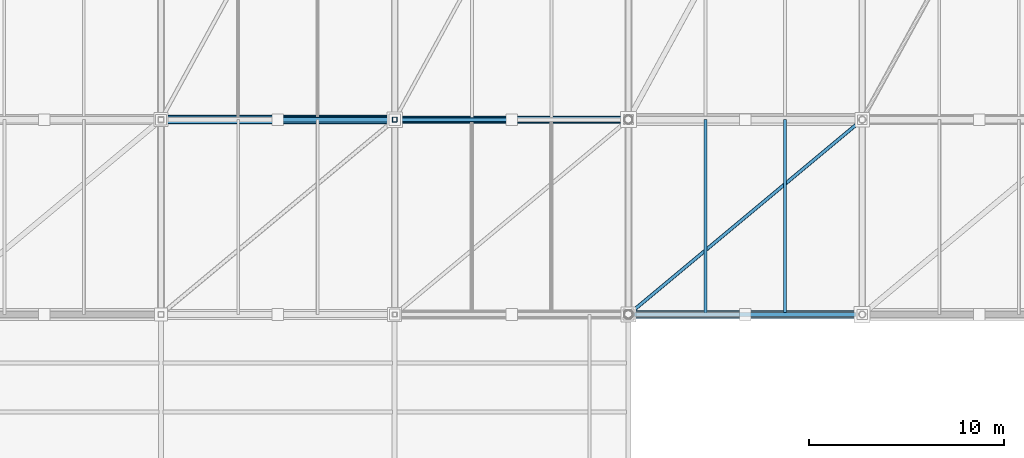
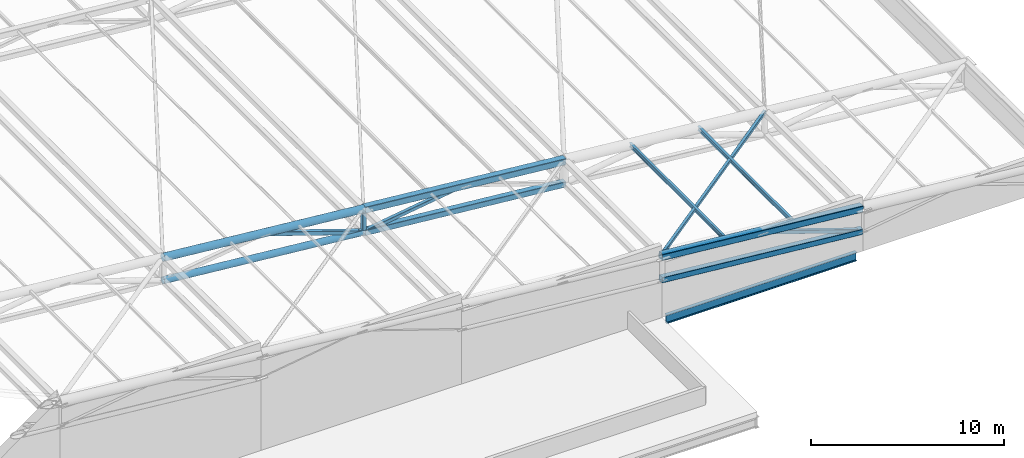
# One storey, part 18 of 44: 13 members, 1 beam.
"""IFC4 building model written with IfcOpenShell, lengths in metres."""

from ifc_helpers import new_model, si_unit, direction, frame, origin, origin_2d, place, context, subcontext, project, spatial, hollow_rectangle, hollow_circle, i_section, extrude, material, material_profile, profile_set, type_object, element, save


model = new_model("IFC4")

# Units and contexts
model_context = context("Model", 3, precision=1e-05, world=origin(), true_north=direction((0.0, 1.0)))
body_context = subcontext(model_context, "Body", "Model", "MODEL_VIEW")
ifc_project = project(units=[si_unit("LENGTHUNIT", "METRE"), si_unit("AREAUNIT", "SQUARE_METRE"), si_unit("VOLUMEUNIT", "CUBIC_METRE"), si_unit("PLANEANGLEUNIT", "RADIAN"), si_unit("MASSUNIT", "GRAM", prefix="KILO")], contexts=[model_context])

# Site, building, storey
site_placement = place(None, origin())
site = spatial("IfcSite", under=ifc_project, at=site_placement, CompositionType="ELEMENT")
building_placement = place(site_placement, origin())
building = spatial("IfcBuilding", under=site, at=building_placement, Name="Brinegate Civic Arena", CompositionType="ELEMENT")
storey_placement = place(building_placement, frame((0.0, 0.0, 29.39990234375)))
storey = spatial("IfcBuildingStorey", under=building, at=storey_placement, Name="RF", CompositionType="ELEMENT", Elevation=29.39990234375)

# Members
ifc_material = material(Name="Steel S355", Category="steel")
ifc_material_profile_1 = material_profile(ifc_material, i_section(OverallWidth=0.14794921875, OverallDepth=0.26611328125, WebThickness=0.008056640625, FlangeThickness=0.012939453125, FilletRadius=0.011962890625, at=origin_2d()), Name="W250X45")
ifc_profile_set_1 = profile_set([ifc_material_profile_1], Name="Steel S355")
member_type_1 = type_object("IfcMemberType", Name="RF-PURLIN-W250", PredefinedType="PURLIN", material=ifc_profile_set_1)
for number, where, z_axis, x_axis, name in (
    (1, (135.9599609375, 10.0, 3.4111328125), (0.0, 1.0, 0.0), (-1.0, 0.0, 0.0), "Roof Purlin RFP-015"),
    (2, (140.0400390625, 10.0, 3.028076171875), (0.0, 1.0, 0.0), (-1.0, 0.0, 0.0), "Roof Purlin RFP-016"),
):
    element("IfcMember", number, at=place(storey_placement, frame(where, z_axis=z_axis, x_axis=x_axis)), inside=storey, type_object=member_type_1, Name=name, PredefinedType="PURLIN", context=body_context, shape_type="SweptSolid", body=[
        extrude(i_section(OverallWidth=0.14794921875, OverallDepth=0.26611328125, WebThickness=0.008056640625, FlangeThickness=0.012939453125, FilletRadius=0.011962890625, at=origin_2d()), origin(), (0.0, 0.0, 1.0), 10.0),
    ])
ifc_material_profile_2 = material_profile(ifc_material, hollow_rectangle(XDim=0.179931640625, YDim=0.179931640625, WallThickness=0.010009765625, InnerFilletRadius=0.010009765625, OuterFilletRadius=0.02001953125, at=origin_2d()), Name="SHS180X10")
ifc_profile_set_2 = profile_set([ifc_material_profile_2], Name="Steel S355")
member_type_2 = type_object("IfcMemberType", Name="SF-BRACE-SHS180", PredefinedType="BRACE", material=ifc_profile_set_2)
member_1_placement = place(storey_placement, frame((132.0, 10.0, 3.800048828125), z_axis=(0.766236619907, 0.638530516589, -0.071834683116), x_axis=(-0.640184399664, 0.768221279597, 0.0)))
element("IfcMember", 3, at=member_1_placement, inside=storey, type_object=member_type_2, Name="Roof Plan Diagonal Brace PL-1-8", PredefinedType="BRACE", context=body_context, shape_type="SweptSolid", body=[
    extrude(hollow_rectangle(XDim=0.179931640625, YDim=0.179931640625, WallThickness=0.010009765625, InnerFilletRadius=0.010009765625, OuterFilletRadius=0.02001953125, at=origin_2d()), origin(), (0.0, 0.0, 1.0), 15.660888671875),
])
ifc_material_profile_3 = material_profile(ifc_material, hollow_rectangle(XDim=0.219970703125, YDim=0.219970703125, WallThickness=0.011962890625, InnerFilletRadius=0.011962890625, OuterFilletRadius=0.02392578125, at=origin_2d()), Name="SHS220X12")
ifc_profile_set_3 = profile_set([ifc_material_profile_3], Name="Steel S355")
member_type_3 = type_object("IfcMemberType", Name="SF-BRACE-SHS220", PredefinedType="BRACE", material=ifc_profile_set_3)
member_2_placement = place(storey_placement, frame((138.0, 10.0, 3.238037109375), z_axis=(0.948068139281, 0.0, -0.318067293635), x_axis=(0.0, 1.0, 0.0)))
element("IfcMember", 4, at=member_2_placement, inside=storey, type_object=member_type_3, Name="Space Frame Web Brace D2-1-8", PredefinedType="BRACE", context=body_context, shape_type="SweptSolid", body=[
    extrude(hollow_rectangle(XDim=0.219970703125, YDim=0.219970703125, WallThickness=0.011962890625, InnerFilletRadius=0.011962890625, OuterFilletRadius=0.02392578125, at=origin_2d()), origin(), (0.0, 0.0, 1.0), 6.32861328125),
])
member_3_placement = place(storey_placement, frame((120.0, 20.0, 3.47509765625), z_axis=(0.989226142737, 0.0, 0.1463954867), x_axis=(0.0, 1.0, 0.0)))
element("IfcMember", 5, at=member_3_placement, inside=storey, type_object=member_type_3, Name="Space Frame Web Brace D1-2-7", PredefinedType="BRACE", context=body_context, shape_type="SweptSolid", body=[
    extrude(hollow_rectangle(XDim=0.219970703125, YDim=0.219970703125, WallThickness=0.011962890625, InnerFilletRadius=0.011962890625, OuterFilletRadius=0.02392578125, at=origin_2d()), origin(), (0.0, 0.0, 1.0), 6.0654296875),
])
ifc_material_profile_4 = material_profile(ifc_material, hollow_rectangle(XDim=0.25, YDim=0.25, WallThickness=0.011962890625, InnerFilletRadius=0.011962890625, OuterFilletRadius=0.02392578125, at=origin_2d()), Name="SHS250X12")
ifc_profile_set_4 = profile_set([ifc_material_profile_4], Name="Steel S355")
member_type_4 = type_object("IfcMemberType", Name="SF-BRACE-SHS250", PredefinedType="BRACE", material=ifc_profile_set_4)
member_4_placement = place(storey_placement, frame((114.0, 20.0, 5.488037109375), z_axis=(0.948068139281, 0.0, -0.318067293635), x_axis=(0.0, 1.0, 0.0)))
element("IfcMember", 6, at=member_4_placement, inside=storey, type_object=member_type_4, Name="Space Frame Web Brace D2-2-6", PredefinedType="BRACE", context=body_context, shape_type="SweptSolid", body=[
    extrude(hollow_rectangle(XDim=0.25, YDim=0.25, WallThickness=0.011962890625, InnerFilletRadius=0.011962890625, OuterFilletRadius=0.02392578125, at=origin_2d()), origin(), (0.0, 0.0, 1.0), 6.32861328125),
])
ifc_material_profile_5 = material_profile(ifc_material, hollow_circle(Radius=0.202880859375, WallThickness=0.01611328125, at=origin_2d()), Name="CHS406X16")
ifc_profile_set_5 = profile_set([ifc_material_profile_5], Name="Steel S355")
member_type_5 = type_object("IfcMemberType", Name="SF-CHORD-CHS406", PredefinedType="CHORD", material=ifc_profile_set_5)
member_5_placement = place(storey_placement, frame((108.0, 20.0, 4.60009765625), z_axis=(0.995634226059, 0.0, -0.093340708693), x_axis=(0.0, 1.0, 0.0)))
element("IfcMember", 7, at=member_5_placement, inside=storey, type_object=member_type_5, Name="Space Frame Bottom Chord BX-2-6", PredefinedType="CHORD", context=body_context, shape_type="SweptSolid", body=[
    extrude(hollow_circle(Radius=0.202880859375, WallThickness=0.01611328125, at=origin_2d()), origin(), (0.0, 0.0, 1.0), 12.052734375),
])
ifc_material_profile_6 = material_profile(ifc_material, hollow_circle(Radius=0.228515625, WallThickness=0.01611328125, at=origin_2d()), Name="CHS457X16")
ifc_profile_set_6 = profile_set([ifc_material_profile_6], Name="Steel S355")
member_type_6 = type_object("IfcMemberType", Name="SF-CHORD-CHS457", PredefinedType="CHORD", material=ifc_profile_set_6)
member_6_placement = place(storey_placement, frame((108.0, 20.0, 6.050048828125), z_axis=(0.995634226059, 0.0, -0.093340708693), x_axis=(0.0, 1.0, 0.0)))
element("IfcMember", 8, at=member_6_placement, inside=storey, type_object=member_type_6, Name="Space Frame Top Chord TX-2-6", PredefinedType="CHORD", context=body_context, shape_type="SweptSolid", body=[
    extrude(hollow_circle(Radius=0.228515625, WallThickness=0.01611328125, at=origin_2d()), origin(), (0.0, 0.0, 1.0), 12.052734375),
])
ifc_material_profile_7 = material_profile(ifc_material, hollow_rectangle(XDim=0.35009765625, YDim=0.35009765625, WallThickness=0.01611328125, InnerFilletRadius=0.01611328125, OuterFilletRadius=0.031982421875, at=origin_2d()), Name="SHS350X16")
ifc_profile_set_7 = profile_set([ifc_material_profile_7], Name="Steel S355")
member_type_7 = type_object("IfcMemberType", Name="SF-CHORD-SHS350", PredefinedType="CHORD", material=ifc_profile_set_7)
for number, where, z_axis, x_axis, name in (
    (9, (132.0, 10.0, 2.35009765625), (0.995634226059, 0.0, -0.093340708693), (0.0, 1.0, 0.0), "Space Frame Bottom Chord BX-1-8"),
    (10, (120.0, 20.0, 3.47509765625), (0.995634226059, 0.0, -0.093340708693), (0.0, 1.0, 0.0), "Space Frame Bottom Chord BX-2-7"),
):
    element("IfcMember", number, at=place(storey_placement, frame(where, z_axis=z_axis, x_axis=x_axis)), inside=storey, type_object=member_type_7, Name=name, PredefinedType="CHORD", context=body_context, shape_type="SweptSolid", body=[
        extrude(hollow_rectangle(XDim=0.35009765625, YDim=0.35009765625, WallThickness=0.01611328125, InnerFilletRadius=0.01611328125, OuterFilletRadius=0.031982421875, at=origin_2d()), origin(), (0.0, 0.0, 1.0), 12.052734375),
    ])
ifc_material_profile_8 = material_profile(ifc_material, hollow_rectangle(XDim=0.39990234375, YDim=0.39990234375, WallThickness=0.02001953125, InnerFilletRadius=0.02001953125, OuterFilletRadius=0.0400390625, at=origin_2d()), Name="SHS400X20")
ifc_profile_set_8 = profile_set([ifc_material_profile_8], Name="Steel S355")
member_type_8 = type_object("IfcMemberType", Name="SF-CHORD-SHS400", PredefinedType="CHORD", material=ifc_profile_set_8)
for number, where, z_axis, x_axis, name in (
    (11, (132.0, 10.0, 3.800048828125), (0.995634226059, 0.0, -0.093340708693), (0.0, 1.0, 0.0), "Space Frame Top Chord TX-1-8"),
    (12, (120.0, 20.0, 4.925048828125), (0.995634226059, 0.0, -0.093340708693), (0.0, 1.0, 0.0), "Space Frame Top Chord TX-2-7"),
):
    element("IfcMember", number, at=place(storey_placement, frame(where, z_axis=z_axis, x_axis=x_axis)), inside=storey, type_object=member_type_8, Name=name, PredefinedType="CHORD", context=body_context, shape_type="SweptSolid", body=[
        extrude(hollow_rectangle(XDim=0.39990234375, YDim=0.39990234375, WallThickness=0.02001953125, InnerFilletRadius=0.02001953125, OuterFilletRadius=0.0400390625, at=origin_2d()), origin(), (0.0, 0.0, 1.0), 12.052734375),
    ])
ifc_material_profile_9 = material_profile(ifc_material, hollow_rectangle(XDim=0.25, YDim=0.25, WallThickness=0.011962890625, InnerFilletRadius=0.011962890625, OuterFilletRadius=0.02392578125, at=origin_2d()), Name="SHS250X12")
ifc_profile_set_9 = profile_set([ifc_material_profile_9], Name="Steel S355")
member_type_9 = type_object("IfcMemberType", Name="SF-STRUT-SHS250", PredefinedType="STRUT", material=ifc_profile_set_9)
member_7_placement = place(storey_placement, frame((120.0, 20.0, 3.47509765625), z_axis=(0.0, 0.0, 1.0), x_axis=(1.0, 0.0, 0.0)))
element("IfcMember", 13, at=member_7_placement, inside=storey, type_object=member_type_9, Name="Space Frame Vertical Post V-2-7", PredefinedType="STRUT", context=body_context, shape_type="SweptSolid", body=[
    extrude(hollow_rectangle(XDim=0.25, YDim=0.25, WallThickness=0.011962890625, InnerFilletRadius=0.011962890625, OuterFilletRadius=0.02392578125, at=origin_2d()), origin(), (0.0, 0.0, 1.0), 1.449951171875),
])

# Beam
ifc_material_profile_10 = material_profile(ifc_material, i_section(OverallWidth=0.2119140625, OverallDepth=0.5439453125, WebThickness=0.012939453125, FlangeThickness=0.02099609375, FilletRadius=0.01611328125, at=origin_2d()), Name="W530X123")
ifc_profile_set_10 = profile_set([ifc_material_profile_10], Name="Steel S355")
beam_type = type_object("IfcBeamType", Name="SPANDREL-W530X123", PredefinedType="SPANDREL", material=ifc_profile_set_10)
beam_placement = place(storey_placement, frame((132.31005859375, 10.0, -0.27197265625), z_axis=(1.0, 0.0, 0.0), x_axis=(0.0, 1.0, 0.0)))
element("IfcBeam", 14, at=beam_placement, inside=storey, type_object=beam_type, Name="Gable Crown Ring Beam GBL-S03", PredefinedType="SPANDREL", context=body_context, shape_type="SweptSolid", body=[
    extrude(i_section(OverallWidth=0.2119140625, OverallDepth=0.5439453125, WebThickness=0.012939453125, FlangeThickness=0.02099609375, FilletRadius=0.01611328125, at=origin_2d()), origin(), (0.0, 0.0, 1.0), 11.3798828125),
])

save(model, "model.ifc")
